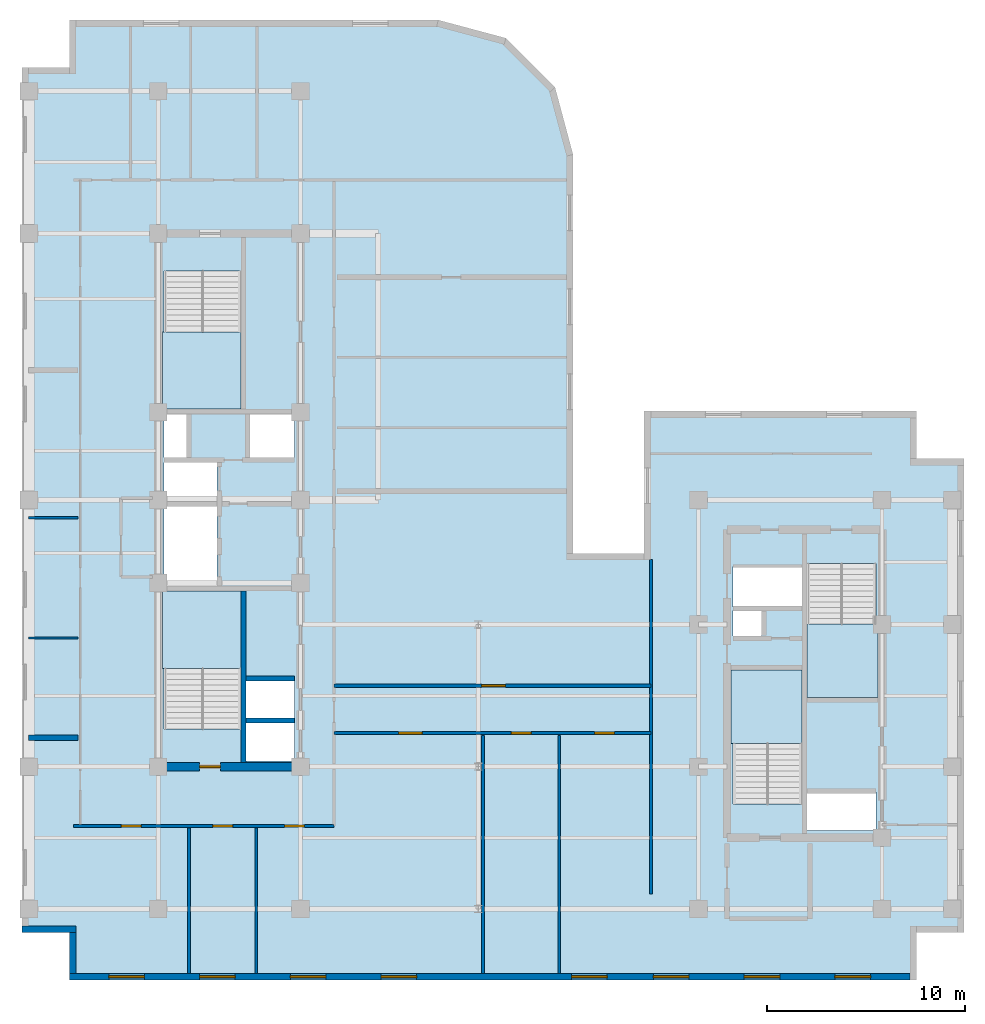
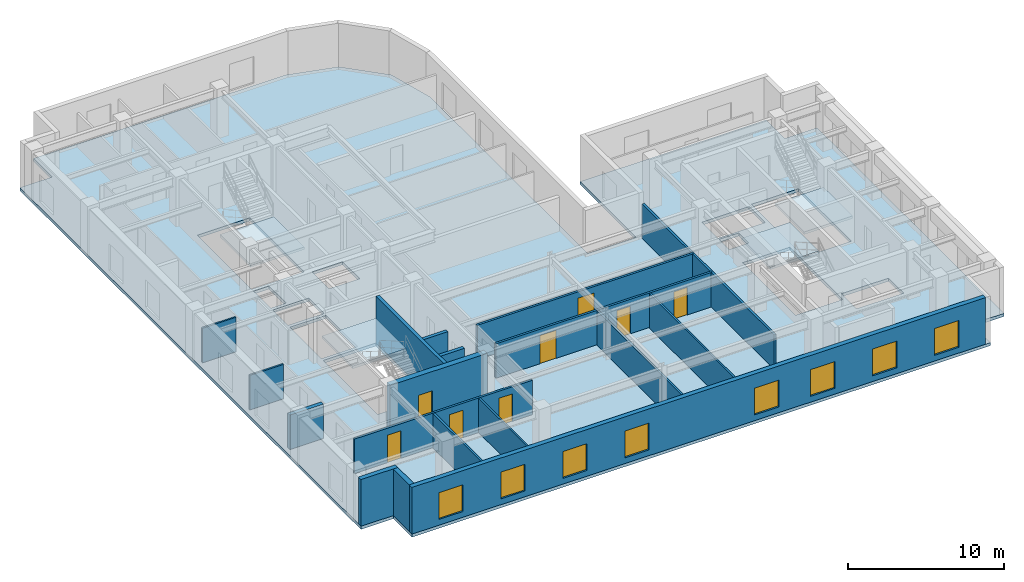
# One storey, part 3 of 10: 18 walls, 8 doors, 8 windows, 5 slabs, 16 openings, 4 elements without a shape of their own.
"""IFC4 building model written with IfcOpenShell, lengths in metres."""

from ifc_helpers import new_model, entity, si_unit, converted_unit, direction, frame, origin_with_axes, origin_2d_with_axis, place, context, subcontext, project, spatial, polyline, rectangle, outline, extrude, material, layer, layer_set, type_object, element, fill, aggregate, save


model = new_model("IFC4")

# Units and contexts
model_context = context("Model", 3, precision=1e-05, world=origin_with_axes(), true_north=direction((0.0, 1.0)))
body_context = subcontext(model_context, "Body", "Model", "MODEL_VIEW")
ifc_project = project(units=[si_unit("LENGTHUNIT", "METRE"), si_unit("AREAUNIT", "SQUARE_METRE"), si_unit("VOLUMEUNIT", "CUBIC_METRE"), converted_unit("PLANEANGLEUNIT", "DEGREE", entity("IfcPlaneAngleMeasure", 0.017453292519943295), si_unit("PLANEANGLEUNIT", "RADIAN"), dimensions=[0, 0, 0, 0, 0, 0, 0]), si_unit("MASSUNIT", "GRAM", prefix="KILO"), si_unit("THERMODYNAMICTEMPERATUREUNIT", "KELVIN")], contexts=[model_context])

# Site, building, storey
site_placement = place(None, origin_with_axes())
site = spatial("IfcSite", under=ifc_project, at=site_placement, CompositionType="ELEMENT")
building_placement = place(site_placement, origin_with_axes())
building = spatial("IfcBuilding", under=site, at=building_placement, Name="Varnlund Millrace Tower", CompositionType="ELEMENT")
storey_placement = place(building_placement, frame((0.0, 0.0, 228.6), z_axis=(0.0, 0.0, 1.0), x_axis=(1.0, 0.0, 0.0)))
storey = spatial("IfcBuildingStorey", under=building, at=storey_placement, Name="L56", CompositionType="ELEMENT", Elevation=228.6)

# Slab
ifc_material_1 = material(Name="Concrete C60/75", Category="concrete")
ifc_layer_1 = layer(ifc_material_1, 0.24, Name="Concrete C60/75")
ifc_layer_set_1 = layer_set([ifc_layer_1], Name="Concrete C60/75")
slab_type_1 = type_object("IfcSlabType", Name="Type-Deck-Plate-Typical-240", PredefinedType="FLOOR", material=ifc_layer_set_1)
slab_1_placement = place(storey_placement, frame((0.0, 0.0, -0.24), z_axis=(0.0, 0.0, 1.0), x_axis=(1.0, 0.0, 0.0)))
element("IfcSlab", 1, at=slab_1_placement, inside=storey, type_object=slab_type_1, Name="Type-Deck-Plate-Typical-240", PredefinedType="FLOOR", context=body_context, shape_type="SweptSolid", body=[
    extrude(outline(polyline([(32.4, 21.6), (32.4, 41.8), (31.489, 45.2), (29.0, 47.689), (25.6, 48.6), (6.9, 48.6), (6.9, 46.2), (4.5, 46.2), (4.5, 2.4), (6.9, 2.4), (6.9, 0.0), (49.8, 0.0), (49.8, 2.4), (52.2, 2.4), (52.2, 26.4), (49.8, 26.4), (49.8, 28.8), (36.0, 28.8), (36.0, 21.6), (32.4, 21.6)]), holes=[polyline([(18.3, 13.1), (18.3, 11.1), (15.84, 11.1), (15.84, 13.1), (18.3, 13.1)]), polyline([(15.6, 12.715), (11.7, 12.715), (11.7, 19.7), (15.6, 19.7), (15.6, 12.715)]), polyline([(11.7, 19.94), (11.7, 23.98), (14.38, 23.98), (14.38, 19.94), (11.7, 19.94)]), polyline([(14.38, 24.24), (11.7, 24.24), (11.7, 26.2), (14.38, 26.2), (14.38, 24.24)]), polyline([(12.84, 26.46), (11.7, 26.46), (11.7, 28.65), (12.84, 28.65), (12.84, 26.46)]), polyline([(15.6, 28.9), (11.7, 28.9), (11.7, 35.885), (15.6, 35.885), (15.6, 28.9)]), polyline([(47.75, 9.52), (47.75, 7.58), (44.25, 7.58), (44.25, 9.52), (47.75, 9.52)]), polyline([(44.0, 8.915), (40.5, 8.915), (40.5, 15.7), (44.0, 15.7), (44.0, 8.915)]), polyline([(18.3, 13.16), (15.84, 13.16), (15.84, 15.24), (18.3, 15.24), (18.3, 13.16)]), polyline([(47.75, 14.3), (44.25, 14.3), (44.25, 21.085), (47.75, 21.085), (47.75, 14.3)]), polyline([(41.95, 17.42), (40.5, 17.42), (40.5, 18.72), (41.95, 18.72), (41.95, 17.42)]), polyline([(44.0, 18.88), (40.5, 18.88), (40.5, 20.94), (44.0, 20.94), (44.0, 18.88)]), polyline([(18.3, 26.46), (16.04, 26.46), (16.04, 28.65), (18.3, 28.65), (18.3, 26.46)])]), origin_with_axes(), (0.0, 0.0, 1.0), 0.24),
])

# Stair, slab
ifc_material_2 = material(Name="Concrete C50/60", Category="concrete")
stair_type_1 = type_object("IfcStairType", Name="Type-Stair-Dogleg-185-390", PredefinedType="HALF_TURN_STAIR", material=ifc_material_2)
stair_1_placement = place(storey_placement, origin_with_axes())
stair_1 = element("IfcStair", 2, at=stair_1_placement, inside=storey, type_object=stair_type_1, Name="Type-Stair-Dogleg-185-390", PredefinedType="HALF_TURN_STAIR")
ifc_layer_2 = layer(ifc_material_2, 0.2, Name="Concrete C50/60")
ifc_layer_set_2 = layer_set([ifc_layer_2], Name="Concrete C50/60")
slab_type_2 = type_object("IfcSlabType", Name="Type-StairLanding-200", PredefinedType="LANDING", material=ifc_layer_set_2)
slab_2_placement = place(storey_placement, frame((0.0, 0.0, 1.75), z_axis=(0.0, 0.0, 1.0), x_axis=(1.0, 0.0, 0.0)))
slab_2 = element("IfcSlab", 3, at=slab_2_placement, type_object=slab_type_2, Name="ST-A1 landing 1", PredefinedType="LANDING", context=body_context, shape_type="SweptSolid", body=[
    extrude(outline(polyline([(15.6, 15.78), (15.6, 19.7), (11.61, 19.7), (11.61, 15.78), (15.6, 15.78)])), origin_with_axes(), (0.0, 0.0, 1.0), 0.2),
])
aggregate(stair_1, [slab_2])

stair_2_placement = place(storey_placement, origin_with_axes())
stair_2 = element("IfcStair", 4, at=stair_2_placement, inside=storey, type_object=stair_type_1, Name="Type-Stair-Dogleg-185-390", PredefinedType="HALF_TURN_STAIR")
slab_3_placement = place(storey_placement, frame((0.0, 0.0, 1.75), z_axis=(0.0, 0.0, 1.0), x_axis=(1.0, 0.0, 0.0)))
slab_3 = element("IfcSlab", 5, at=slab_3_placement, type_object=slab_type_2, Name="ST-A2 landing 1", PredefinedType="LANDING", context=body_context, shape_type="SweptSolid", body=[
    extrude(outline(polyline([(11.61, 32.82), (11.61, 28.9), (15.6, 28.9), (15.6, 32.82), (11.61, 32.82)])), origin_with_axes(), (0.0, 0.0, 1.0), 0.2),
])
aggregate(stair_2, [slab_3])

stair_type_2 = type_object("IfcStairType", Name="Type-Stair-Dogleg-165-390", PredefinedType="HALF_TURN_STAIR", material=ifc_material_2)
stair_3_placement = place(storey_placement, origin_with_axes())
stair_3 = element("IfcStair", 6, at=stair_3_placement, inside=storey, type_object=stair_type_2, Name="Type-Stair-Dogleg-165-390", PredefinedType="HALF_TURN_STAIR")
slab_4_placement = place(storey_placement, frame((0.0, 0.0, 1.75), z_axis=(0.0, 0.0, 1.0), x_axis=(1.0, 0.0, 0.0)))
slab_4 = element("IfcSlab", 7, at=slab_4_placement, type_object=slab_type_2, Name="ST-B1 landing 1", PredefinedType="LANDING", context=body_context, shape_type="SweptSolid", body=[
    extrude(outline(polyline([(44.0, 11.98), (44.0, 15.7), (40.41, 15.7), (40.41, 11.98), (44.0, 11.98)])), origin_with_axes(), (0.0, 0.0, 1.0), 0.2),
])
aggregate(stair_3, [slab_4])

stair_4_placement = place(storey_placement, origin_with_axes())
stair_4 = element("IfcStair", 8, at=stair_4_placement, inside=storey, type_object=stair_type_2, Name="Type-Stair-Dogleg-165-390", PredefinedType="HALF_TURN_STAIR")
slab_5_placement = place(storey_placement, frame((0.0, 0.0, 1.75), z_axis=(0.0, 0.0, 1.0), x_axis=(1.0, 0.0, 0.0)))
slab_5 = element("IfcSlab", 9, at=slab_5_placement, type_object=slab_type_2, Name="ST-B2 landing 1", PredefinedType="LANDING", context=body_context, shape_type="SweptSolid", body=[
    extrude(outline(polyline([(44.25, 18.02), (44.25, 14.3), (47.84, 14.3), (47.84, 18.02), (44.25, 18.02)])), origin_with_axes(), (0.0, 0.0, 1.0), 0.2),
])
aggregate(stair_4, [slab_5])

# Wall, opening, door
ifc_layer_3 = layer(ifc_material_1, 0.42, Name="Concrete C60/75")
ifc_layer_set_3 = layer_set([ifc_layer_3], Name="Concrete C60/75")
wall_type_1 = type_object("IfcWallType", Name="Type-CoreWall-Shear-420-C60", PredefinedType="SHEAR", material=ifc_layer_set_3)
wall_1_placement = place(storey_placement, frame((11.4, 10.8, 0.0), z_axis=(0.0, 0.0, 1.0), x_axis=(1.0, 0.0, 0.0)))
wall_1 = element("IfcWall", 10, at=wall_1_placement, inside=storey, type_object=wall_type_1, Name="Type-CoreWall-Shear-420-C60", PredefinedType="SHEAR", context=body_context, shape_type="SweptSolid", body=[
    extrude(outline(polyline([(0.0, -0.21), (7.2, -0.21), (7.2, 0.21), (0.0, 0.21), (0.0, -0.21)])), origin_with_axes(), (0.0, 0.0, 1.0), 3.66),
])
opening_1_placement = place(wall_1_placement, frame((2.625, 0.0, 0.0), z_axis=(0.0, 0.0, 1.0), x_axis=(1.0, 0.0, 0.0)))
opening_1 = element("IfcOpeningElement", 11, at=opening_1_placement, cuts=wall_1, Name="Opening L56:DR-STA1", PredefinedType="OPENING", context=body_context, shape_type="SweptSolid", body=[
    extrude(rectangle(XDim=1.05, YDim=0.44, at=origin_2d_with_axis()), origin_with_axes(), (0.0, 0.0, 1.0), 2.15),
])
ifc_material_3 = material(Name="Fire-rated hollow steel door", Category="steel")
door_type_1 = type_object("IfcDoorType", Name="Type-FireDoor-Stair-1050X2150", OperationType="NOTDEFINED", PredefinedType="DOOR", material=ifc_material_3)
door_1_placement = place(wall_1_placement, frame((2.625, 0.0, 0.0), z_axis=(0.0, 0.0, 1.0), x_axis=(1.0, 0.0, 0.0)))
door_1 = element("IfcDoor", 12, at=door_1_placement, inside=storey, type_object=door_type_1, Name="Type-FireDoor-Stair-1050X2150", OperationType="SINGLE_SWING_LEFT", OverallHeight=2.15, OverallWidth=1.05, PredefinedType="DOOR", context=body_context, shape_type="SweptSolid", body=[
    extrude(rectangle(XDim=1.05, YDim=0.09, at=origin_2d_with_axis()), origin_with_axes(), (0.0, 0.0, 1.0), 2.15),
])
fill(opening_1, door_1)

# Wall, openings, windows
ifc_material_4 = material(Name="Precast concrete C50/60", Category="concrete")
ifc_layer_4 = layer(ifc_material_4, 0.34, Name="Precast concrete C50/60")
ifc_layer_set_4 = layer_set([ifc_layer_4], Name="Precast concrete C50/60")
wall_type_2 = type_object("IfcWallType", Name="Type-ExtWall-Precast-Upper-340", PredefinedType="SOLIDWALL", material=ifc_layer_set_4)
wall_2_placement = place(storey_placement, frame((49.46, 0.17, 0.0), z_axis=(0.0, 0.0, 1.0), x_axis=(-1.0, 0.0, 0.0)))
wall_2 = element("IfcWall", 13, at=wall_2_placement, inside=storey, type_object=wall_type_2, Name="Type-ExtWall-Precast-Upper-340", PredefinedType="SOLIDWALL", context=body_context, shape_type="SweptSolid", body=[
    extrude(outline(polyline([(0.0, -0.17), (42.56, -0.17), (42.56, 0.17), (0.0, 0.17), (0.0, -0.17)])), origin_with_axes(), (0.0, 0.0, 1.0), 3.66),
])
opening_2_placement = place(wall_2_placement, frame((2.898, 0.0, 0.45), z_axis=(0.0, 0.0, 1.0), x_axis=(1.0, 0.0, 0.0)))
opening_2 = element("IfcOpeningElement", 14, at=opening_2_placement, cuts=wall_2, Name="Opening L56:WN-07", PredefinedType="OPENING", context=body_context, shape_type="SweptSolid", body=[
    extrude(rectangle(XDim=1.8, YDim=0.36, at=origin_2d_with_axis()), origin_with_axes(), (0.0, 0.0, 1.0), 2.1),
])
opening_3_placement = place(wall_2_placement, frame((7.493, 0.0, 0.45), z_axis=(0.0, 0.0, 1.0), x_axis=(1.0, 0.0, 0.0)))
opening_3 = element("IfcOpeningElement", 15, at=opening_3_placement, cuts=wall_2, Name="Opening L56:WN-08", PredefinedType="OPENING", context=body_context, shape_type="SweptSolid", body=[
    extrude(rectangle(XDim=1.8, YDim=0.36, at=origin_2d_with_axis()), origin_with_axes(), (0.0, 0.0, 1.0), 2.1),
])
opening_4_placement = place(wall_2_placement, frame((12.089, 0.0, 0.45), z_axis=(0.0, 0.0, 1.0), x_axis=(1.0, 0.0, 0.0)))
opening_4 = element("IfcOpeningElement", 16, at=opening_4_placement, cuts=wall_2, Name="Opening L56:WN-09", PredefinedType="OPENING", context=body_context, shape_type="SweptSolid", body=[
    extrude(rectangle(XDim=1.8, YDim=0.36, at=origin_2d_with_axis()), origin_with_axes(), (0.0, 0.0, 1.0), 2.1),
])
opening_5_placement = place(wall_2_placement, frame((16.234, 0.0, 0.45), z_axis=(0.0, 0.0, 1.0), x_axis=(1.0, 0.0, 0.0)))
opening_5 = element("IfcOpeningElement", 17, at=opening_5_placement, cuts=wall_2, Name="Opening L56:WN-10", PredefinedType="OPENING", context=body_context, shape_type="SweptSolid", body=[
    extrude(rectangle(XDim=1.8, YDim=0.36, at=origin_2d_with_axis()), origin_with_axes(), (0.0, 0.0, 1.0), 2.1),
])
opening_6_placement = place(wall_2_placement, frame((25.876, 0.0, 0.45), z_axis=(0.0, 0.0, 1.0), x_axis=(1.0, 0.0, 0.0)))
opening_6 = element("IfcOpeningElement", 18, at=opening_6_placement, cuts=wall_2, Name="Opening L56:WN-11", PredefinedType="OPENING", context=body_context, shape_type="SweptSolid", body=[
    extrude(rectangle(XDim=1.8, YDim=0.36, at=origin_2d_with_axis()), origin_with_axes(), (0.0, 0.0, 1.0), 2.1),
])
opening_7_placement = place(wall_2_placement, frame((30.471, 0.0, 0.45), z_axis=(0.0, 0.0, 1.0), x_axis=(1.0, 0.0, 0.0)))
opening_7 = element("IfcOpeningElement", 19, at=opening_7_placement, cuts=wall_2, Name="Opening L56:WN-12", PredefinedType="OPENING", context=body_context, shape_type="SweptSolid", body=[
    extrude(rectangle(XDim=1.8, YDim=0.36, at=origin_2d_with_axis()), origin_with_axes(), (0.0, 0.0, 1.0), 2.1),
])
opening_8_placement = place(wall_2_placement, frame((35.067, 0.0, 0.45), z_axis=(0.0, 0.0, 1.0), x_axis=(1.0, 0.0, 0.0)))
opening_8 = element("IfcOpeningElement", 20, at=opening_8_placement, cuts=wall_2, Name="Opening L56:WN-13", PredefinedType="OPENING", context=body_context, shape_type="SweptSolid", body=[
    extrude(rectangle(XDim=1.8, YDim=0.36, at=origin_2d_with_axis()), origin_with_axes(), (0.0, 0.0, 1.0), 2.1),
])
opening_9_placement = place(wall_2_placement, frame((39.662, 0.0, 0.45), z_axis=(0.0, 0.0, 1.0), x_axis=(1.0, 0.0, 0.0)))
opening_9 = element("IfcOpeningElement", 21, at=opening_9_placement, cuts=wall_2, Name="Opening L56:WN-14", PredefinedType="OPENING", context=body_context, shape_type="SweptSolid", body=[
    extrude(rectangle(XDim=1.8, YDim=0.36, at=origin_2d_with_axis()), origin_with_axes(), (0.0, 0.0, 1.0), 2.1),
])
ifc_material_5 = material(Name="Argon low-e triple glazing in thermally broken bronze frame", Category="glass")
window_type = type_object("IfcWindowType", Name="Type-Window-Punched-1800X2100", PartitioningType="SINGLE_PANEL", PredefinedType="WINDOW", material=ifc_material_5)
window_1_placement = place(wall_2_placement, frame((2.898, 0.0, 0.45), z_axis=(0.0, 0.0, 1.0), x_axis=(1.0, 0.0, 0.0)))
window_1 = element("IfcWindow", 22, at=window_1_placement, inside=storey, type_object=window_type, Name="Type-Window-Punched-1800X2100", OverallHeight=2.1, OverallWidth=1.8, PredefinedType="WINDOW", context=body_context, shape_type="SweptSolid", body=[
    extrude(rectangle(XDim=1.8, YDim=0.09, at=origin_2d_with_axis()), origin_with_axes(), (0.0, 0.0, 1.0), 2.1),
])
fill(opening_2, window_1)
window_2_placement = place(wall_2_placement, frame((7.493, 0.0, 0.45), z_axis=(0.0, 0.0, 1.0), x_axis=(1.0, 0.0, 0.0)))
window_2 = element("IfcWindow", 23, at=window_2_placement, inside=storey, type_object=window_type, Name="Type-Window-Punched-1800X2100", OverallHeight=2.1, OverallWidth=1.8, PredefinedType="WINDOW", context=body_context, shape_type="SweptSolid", body=[
    extrude(rectangle(XDim=1.8, YDim=0.09, at=origin_2d_with_axis()), origin_with_axes(), (0.0, 0.0, 1.0), 2.1),
])
fill(opening_3, window_2)
window_3_placement = place(wall_2_placement, frame((12.089, 0.0, 0.45), z_axis=(0.0, 0.0, 1.0), x_axis=(1.0, 0.0, 0.0)))
window_3 = element("IfcWindow", 24, at=window_3_placement, inside=storey, type_object=window_type, Name="Type-Window-Punched-1800X2100", OverallHeight=2.1, OverallWidth=1.8, PredefinedType="WINDOW", context=body_context, shape_type="SweptSolid", body=[
    extrude(rectangle(XDim=1.8, YDim=0.09, at=origin_2d_with_axis()), origin_with_axes(), (0.0, 0.0, 1.0), 2.1),
])
fill(opening_4, window_3)
window_4_placement = place(wall_2_placement, frame((16.234, 0.0, 0.45), z_axis=(0.0, 0.0, 1.0), x_axis=(1.0, 0.0, 0.0)))
window_4 = element("IfcWindow", 25, at=window_4_placement, inside=storey, type_object=window_type, Name="Type-Window-Punched-1800X2100", OverallHeight=2.1, OverallWidth=1.8, PredefinedType="WINDOW", context=body_context, shape_type="SweptSolid", body=[
    extrude(rectangle(XDim=1.8, YDim=0.09, at=origin_2d_with_axis()), origin_with_axes(), (0.0, 0.0, 1.0), 2.1),
])
fill(opening_5, window_4)
window_5_placement = place(wall_2_placement, frame((25.876, 0.0, 0.45), z_axis=(0.0, 0.0, 1.0), x_axis=(1.0, 0.0, 0.0)))
window_5 = element("IfcWindow", 26, at=window_5_placement, inside=storey, type_object=window_type, Name="Type-Window-Punched-1800X2100", OverallHeight=2.1, OverallWidth=1.8, PredefinedType="WINDOW", context=body_context, shape_type="SweptSolid", body=[
    extrude(rectangle(XDim=1.8, YDim=0.09, at=origin_2d_with_axis()), origin_with_axes(), (0.0, 0.0, 1.0), 2.1),
])
fill(opening_6, window_5)
window_6_placement = place(wall_2_placement, frame((30.471, 0.0, 0.45), z_axis=(0.0, 0.0, 1.0), x_axis=(1.0, 0.0, 0.0)))
window_6 = element("IfcWindow", 27, at=window_6_placement, inside=storey, type_object=window_type, Name="Type-Window-Punched-1800X2100", OverallHeight=2.1, OverallWidth=1.8, PredefinedType="WINDOW", context=body_context, shape_type="SweptSolid", body=[
    extrude(rectangle(XDim=1.8, YDim=0.09, at=origin_2d_with_axis()), origin_with_axes(), (0.0, 0.0, 1.0), 2.1),
])
fill(opening_7, window_6)
window_7_placement = place(wall_2_placement, frame((35.067, 0.0, 0.45), z_axis=(0.0, 0.0, 1.0), x_axis=(1.0, 0.0, 0.0)))
window_7 = element("IfcWindow", 28, at=window_7_placement, inside=storey, type_object=window_type, Name="Type-Window-Punched-1800X2100", OverallHeight=2.1, OverallWidth=1.8, PredefinedType="WINDOW", context=body_context, shape_type="SweptSolid", body=[
    extrude(rectangle(XDim=1.8, YDim=0.09, at=origin_2d_with_axis()), origin_with_axes(), (0.0, 0.0, 1.0), 2.1),
])
fill(opening_8, window_7)
window_8_placement = place(wall_2_placement, frame((39.662, 0.0, 0.45), z_axis=(0.0, 0.0, 1.0), x_axis=(1.0, 0.0, 0.0)))
window_8 = element("IfcWindow", 29, at=window_8_placement, inside=storey, type_object=window_type, Name="Type-Window-Punched-1800X2100", OverallHeight=2.1, OverallWidth=1.8, PredefinedType="WINDOW", context=body_context, shape_type="SweptSolid", body=[
    extrude(rectangle(XDim=1.8, YDim=0.09, at=origin_2d_with_axis()), origin_with_axes(), (0.0, 0.0, 1.0), 2.1),
])
fill(opening_9, window_8)

# Walls
wall_3_placement = place(storey_placement, frame((7.07, 0.34, 0.0), z_axis=(0.0, 0.0, 1.0), x_axis=(0.0, 1.0, 0.0)))
element("IfcWall", 30, at=wall_3_placement, inside=storey, type_object=wall_type_2, Name="Type-ExtWall-Precast-Upper-340", PredefinedType="SOLIDWALL", context=body_context, shape_type="SweptSolid", body=[
    extrude(outline(polyline([(0.0, -0.17), (2.06, -0.17), (2.06, 0.17), (0.0, 0.17), (0.0, -0.17)])), origin_with_axes(), (0.0, 0.0, 1.0), 3.66),
])
wall_4_placement = place(storey_placement, frame((7.24, 2.57, 0.0), z_axis=(0.0, 0.0, 1.0), x_axis=(-1.0, 0.0, 0.0)))
element("IfcWall", 31, at=wall_4_placement, inside=storey, type_object=wall_type_2, Name="Type-ExtWall-Precast-Upper-340", PredefinedType="SOLIDWALL", context=body_context, shape_type="SweptSolid", body=[
    extrude(outline(polyline([(0.0, -0.17), (2.74, -0.17), (2.74, 0.17), (0.0, 0.17), (0.0, -0.17)])), origin_with_axes(), (0.0, 0.0, 1.0), 3.66),
])
ifc_material_6 = material(Name="Double-stud STC-60 conference acoustic partition", Category="gypsum")
ifc_layer_5 = layer(ifc_material_6, 0.28, Name="Double-stud STC-60 conference acoustic partition")
ifc_layer_set_5 = layer_set([ifc_layer_5], Name="Double-stud STC-60 conference acoustic partition")
wall_type_3 = type_object("IfcWallType", Name="Type-Partition-Acoustic-280", PredefinedType="PARTITIONING", material=ifc_layer_set_5)
wall_5_placement = place(storey_placement, frame((4.835, 12.262, 0.0), z_axis=(0.0, 0.0, 1.0), x_axis=(1.0, 0.0, 0.0)))
element("IfcWall", 32, at=wall_5_placement, inside=storey, type_object=wall_type_3, Name="Type-Partition-Acoustic-280", PredefinedType="PARTITIONING", context=body_context, shape_type="SweptSolid", body=[
    extrude(outline(polyline([(0.0, -0.14), (2.495, -0.14), (2.495, 0.14), (0.0, 0.14), (0.0, -0.14)])), origin_with_axes(), (0.0, 0.0, 1.0), 2.7),
])

# Wall, openings, doors
ifc_material_7 = material(Name="Fire-rated gypsum board on cold-formed steel framing", Category="steel")
ifc_layer_6 = layer(ifc_material_7, 0.16, Name="Fire-rated gypsum board on cold-formed steel framing")
ifc_layer_set_6 = layer_set([ifc_layer_6], Name="Fire-rated gypsum board on cold-formed steel framing")
wall_type_4 = type_object("IfcWallType", Name="Type-Partition-Corridor-160", PredefinedType="PARTITIONING", material=ifc_layer_set_6)
wall_6_placement = place(storey_placement, frame((7.1, 7.8, 0.0), z_axis=(0.0, 0.0, 1.0), x_axis=(1.0, 0.0, 0.0)))
wall_6 = element("IfcWall", 33, at=wall_6_placement, inside=storey, type_object=wall_type_4, Name="Type-Partition-Corridor-160", PredefinedType="PARTITIONING", context=body_context, shape_type="SweptSolid", body=[
    extrude(outline(polyline([(0.0, -0.08), (13.2, -0.08), (13.2, 0.08), (0.0, 0.08), (0.0, -0.08)])), origin_with_axes(), (0.0, 0.0, 1.0), 2.7),
])
opening_10_placement = place(wall_6_placement, frame((2.9285, 0.0, 0.0), z_axis=(0.0, 0.0, 1.0), x_axis=(1.0, 0.0, 0.0)))
opening_10 = element("IfcOpeningElement", 34, at=opening_10_placement, cuts=wall_6, Name="Opening L56:DR-WAS-01", PredefinedType="OPENING", context=body_context, shape_type="SweptSolid", body=[
    extrude(rectangle(XDim=1.0, YDim=0.18, at=origin_2d_with_axis()), origin_with_axes(), (0.0, 0.0, 1.0), 2.15),
])
opening_11_placement = place(wall_6_placement, frame((7.56, 0.0, 0.0), z_axis=(0.0, 0.0, 1.0), x_axis=(1.0, 0.0, 0.0)))
opening_11 = element("IfcOpeningElement", 35, at=opening_11_placement, cuts=wall_6, Name="Opening L56:DR-WAS-02", PredefinedType="OPENING", context=body_context, shape_type="SweptSolid", body=[
    extrude(rectangle(XDim=1.0, YDim=0.18, at=origin_2d_with_axis()), origin_with_axes(), (0.0, 0.0, 1.0), 2.15),
])
opening_12_placement = place(wall_6_placement, frame((11.2015, 0.0, 0.0), z_axis=(0.0, 0.0, 1.0), x_axis=(1.0, 0.0, 0.0)))
opening_12 = element("IfcOpeningElement", 36, at=opening_12_placement, cuts=wall_6, Name="Opening L56:DR-WAS-03", PredefinedType="OPENING", context=body_context, shape_type="SweptSolid", body=[
    extrude(rectangle(XDim=1.0, YDim=0.18, at=origin_2d_with_axis()), origin_with_axes(), (0.0, 0.0, 1.0), 2.15),
])
ifc_material_8 = material(Name="Solid-core white oak and bronze frame door")
door_type_2 = type_object("IfcDoorType", Name="Type-IntDoor-Office-1000X2150", OperationType="NOTDEFINED", PredefinedType="DOOR", material=ifc_material_8)
door_2_placement = place(wall_6_placement, frame((2.9285, 0.0, 0.0), z_axis=(0.0, 0.0, 1.0), x_axis=(1.0, 0.0, 0.0)))
door_2 = element("IfcDoor", 37, at=door_2_placement, inside=storey, type_object=door_type_2, Name="Type-IntDoor-Office-1000X2150", OperationType="SINGLE_SWING_LEFT", OverallHeight=2.15, OverallWidth=1.0, PredefinedType="DOOR", context=body_context, shape_type="SweptSolid", body=[
    extrude(rectangle(XDim=1.0, YDim=0.09, at=origin_2d_with_axis()), origin_with_axes(), (0.0, 0.0, 1.0), 2.15),
])
fill(opening_10, door_2)
door_3_placement = place(wall_6_placement, frame((7.56, 0.0, 0.0), z_axis=(0.0, 0.0, 1.0), x_axis=(1.0, 0.0, 0.0)))
door_3 = element("IfcDoor", 38, at=door_3_placement, inside=storey, type_object=door_type_2, Name="Type-IntDoor-Office-1000X2150", OperationType="SINGLE_SWING_RIGHT", OverallHeight=2.15, OverallWidth=1.0, PredefinedType="DOOR", context=body_context, shape_type="SweptSolid", body=[
    extrude(rectangle(XDim=1.0, YDim=0.09, at=origin_2d_with_axis()), origin_with_axes(), (0.0, 0.0, 1.0), 2.15),
])
fill(opening_11, door_3)
door_4_placement = place(wall_6_placement, frame((11.2015, 0.0, 0.0), z_axis=(0.0, 0.0, 1.0), x_axis=(1.0, 0.0, 0.0)))
door_4 = element("IfcDoor", 39, at=door_4_placement, inside=storey, type_object=door_type_2, Name="Type-IntDoor-Office-1000X2150", OperationType="SINGLE_SWING_LEFT", OverallHeight=2.15, OverallWidth=1.0, PredefinedType="DOOR", context=body_context, shape_type="SweptSolid", body=[
    extrude(rectangle(XDim=1.0, YDim=0.09, at=origin_2d_with_axis()), origin_with_axes(), (0.0, 0.0, 1.0), 2.15),
])
fill(opening_12, door_4)

wall_7_placement = place(storey_placement, frame((20.3, 12.5, 0.0), z_axis=(0.0, 0.0, 1.0), x_axis=(1.0, 0.0, 0.0)))
wall_7 = element("IfcWall", 40, at=wall_7_placement, inside=storey, type_object=wall_type_4, Name="Type-Partition-Corridor-160", PredefinedType="PARTITIONING", context=body_context, shape_type="SweptSolid", body=[
    extrude(outline(polyline([(0.0, -0.08), (16.05, -0.08), (16.05, 0.08), (0.0, 0.08), (0.0, -0.08)])), origin_with_axes(), (0.0, 0.0, 1.0), 2.7),
])
opening_13_placement = place(wall_7_placement, frame((3.8645, 0.0, 0.0), z_axis=(0.0, 0.0, 1.0), x_axis=(1.0, 0.0, 0.0)))
opening_13 = element("IfcOpeningElement", 41, at=opening_13_placement, cuts=wall_7, Name="Opening L56:DR-KNS-01", PredefinedType="OPENING", context=body_context, shape_type="SweptSolid", body=[
    extrude(rectangle(XDim=1.2, YDim=0.18, at=origin_2d_with_axis()), origin_with_axes(), (0.0, 0.0, 1.0), 2.2),
])
opening_14_placement = place(wall_7_placement, frame((9.4805, 0.0, 0.0), z_axis=(0.0, 0.0, 1.0), x_axis=(1.0, 0.0, 0.0)))
opening_14 = element("IfcOpeningElement", 42, at=opening_14_placement, cuts=wall_7, Name="Opening L56:DR-KNS-02", PredefinedType="OPENING", context=body_context, shape_type="SweptSolid", body=[
    extrude(rectangle(XDim=1.0, YDim=0.18, at=origin_2d_with_axis()), origin_with_axes(), (0.0, 0.0, 1.0), 2.15),
])
opening_15_placement = place(wall_7_placement, frame((13.691, 0.0, 0.0), z_axis=(0.0, 0.0, 1.0), x_axis=(1.0, 0.0, 0.0)))
opening_15 = element("IfcOpeningElement", 43, at=opening_15_placement, cuts=wall_7, Name="Opening L56:DR-KNS-03", PredefinedType="OPENING", context=body_context, shape_type="SweptSolid", body=[
    extrude(rectangle(XDim=1.0, YDim=0.18, at=origin_2d_with_axis()), origin_with_axes(), (0.0, 0.0, 1.0), 2.15),
])
ifc_material_9 = material(Name="Wide executive white oak acoustic door")
door_type_3 = type_object("IfcDoorType", Name="Type-IntDoor-Exec-1200X2200", OperationType="NOTDEFINED", PredefinedType="DOOR", material=ifc_material_9)
door_5_placement = place(wall_7_placement, frame((3.8645, 0.0, 0.0), z_axis=(0.0, 0.0, 1.0), x_axis=(1.0, 0.0, 0.0)))
door_5 = element("IfcDoor", 44, at=door_5_placement, inside=storey, type_object=door_type_3, Name="Type-IntDoor-Exec-1200X2200", OperationType="SINGLE_SWING_LEFT", OverallHeight=2.2, OverallWidth=1.2, PredefinedType="DOOR", context=body_context, shape_type="SweptSolid", body=[
    extrude(rectangle(XDim=1.2, YDim=0.09, at=origin_2d_with_axis()), origin_with_axes(), (0.0, 0.0, 1.0), 2.2),
])
fill(opening_13, door_5)
door_6_placement = place(wall_7_placement, frame((9.4805, 0.0, 0.0), z_axis=(0.0, 0.0, 1.0), x_axis=(1.0, 0.0, 0.0)))
door_6 = element("IfcDoor", 45, at=door_6_placement, inside=storey, type_object=door_type_2, Name="Type-IntDoor-Office-1000X2150", OperationType="SINGLE_SWING_RIGHT", OverallHeight=2.15, OverallWidth=1.0, PredefinedType="DOOR", context=body_context, shape_type="SweptSolid", body=[
    extrude(rectangle(XDim=1.0, YDim=0.09, at=origin_2d_with_axis()), origin_with_axes(), (0.0, 0.0, 1.0), 2.15),
])
fill(opening_14, door_6)
door_7_placement = place(wall_7_placement, frame((13.691, 0.0, 0.0), z_axis=(0.0, 0.0, 1.0), x_axis=(1.0, 0.0, 0.0)))
door_7 = element("IfcDoor", 46, at=door_7_placement, inside=storey, type_object=door_type_2, Name="Type-IntDoor-Office-1000X2150", OperationType="SINGLE_SWING_LEFT", OverallHeight=2.15, OverallWidth=1.0, PredefinedType="DOOR", context=body_context, shape_type="SweptSolid", body=[
    extrude(rectangle(XDim=1.0, YDim=0.09, at=origin_2d_with_axis()), origin_with_axes(), (0.0, 0.0, 1.0), 2.15),
])
fill(opening_15, door_7)

# Wall, opening, door
wall_8_placement = place(storey_placement, frame((20.3, 14.9, 0.0), z_axis=(0.0, 0.0, 1.0), x_axis=(1.0, 0.0, 0.0)))
wall_8 = element("IfcWall", 47, at=wall_8_placement, inside=storey, type_object=wall_type_4, Name="Type-Partition-Corridor-160", PredefinedType="PARTITIONING", context=body_context, shape_type="SweptSolid", body=[
    extrude(outline(polyline([(0.0, -0.08), (16.05, -0.08), (16.05, 0.08), (0.0, 0.08), (0.0, -0.08)])), origin_with_axes(), (0.0, 0.0, 1.0), 2.7),
])
opening_16_placement = place(wall_8_placement, frame((8.075, 0.0, 0.0), z_axis=(0.0, 0.0, 1.0), x_axis=(1.0, 0.0, 0.0)))
opening_16 = element("IfcOpeningElement", 48, at=opening_16_placement, cuts=wall_8, Name="Opening L56:DR-KN-01", PredefinedType="OPENING", context=body_context, shape_type="SweptSolid", body=[
    extrude(rectangle(XDim=1.2, YDim=0.18, at=origin_2d_with_axis()), origin_with_axes(), (0.0, 0.0, 1.0), 2.2),
])
door_8_placement = place(wall_8_placement, frame((8.075, 0.0, 0.0), z_axis=(0.0, 0.0, 1.0), x_axis=(1.0, 0.0, 0.0)))
door_8 = element("IfcDoor", 49, at=door_8_placement, inside=storey, type_object=door_type_3, Name="Type-IntDoor-Exec-1200X2200", OperationType="SINGLE_SWING_LEFT", OverallHeight=2.2, OverallWidth=1.2, PredefinedType="DOOR", context=body_context, shape_type="SweptSolid", body=[
    extrude(rectangle(XDim=1.2, YDim=0.09, at=origin_2d_with_axis()), origin_with_axes(), (0.0, 0.0, 1.0), 2.2),
])
fill(opening_16, door_8)

# Walls
wall_9_placement = place(storey_placement, frame((36.35, 4.35, 0.0), z_axis=(0.0, 0.0, 1.0), x_axis=(0.0, 1.0, 0.0)))
element("IfcWall", 50, at=wall_9_placement, inside=storey, type_object=wall_type_4, Name="Type-Partition-Corridor-160", PredefinedType="PARTITIONING", context=body_context, shape_type="SweptSolid", body=[
    extrude(outline(polyline([(0.0, -0.08), (16.95, -0.08), (16.95, 0.08), (0.0, 0.08), (0.0, -0.08)])), origin_with_axes(), (0.0, 0.0, 1.0), 2.7),
])
ifc_material_10 = material(Name="Acoustic STC-50 gypsum board partition", Category="gypsum")
ifc_layer_7 = layer(ifc_material_10, 0.15, Name="Acoustic STC-50 gypsum board partition")
ifc_layer_set_7 = layer_set([ifc_layer_7], Name="Acoustic STC-50 gypsum board partition")
wall_type_5 = type_object("IfcWallType", Name="Type-Partition-Demising-150", PredefinedType="PARTITIONING", material=ifc_layer_set_7)
wall_10_placement = place(storey_placement, frame((12.967, 0.335, 0.0), z_axis=(0.0, 0.0, 1.0), x_axis=(0.0, 1.0, 0.0)))
element("IfcWall", 51, at=wall_10_placement, inside=storey, type_object=wall_type_5, Name="Type-Partition-Demising-150", PredefinedType="PARTITIONING", context=body_context, shape_type="SweptSolid", body=[
    extrude(outline(polyline([(0.0, -0.075), (7.365, -0.075), (7.365, 0.075), (0.0, 0.075), (0.0, -0.075)])), origin_with_axes(), (0.0, 0.0, 1.0), 2.7),
])
wall_11_placement = place(storey_placement, frame((27.849, 0.335, 0.0), z_axis=(0.0, 0.0, 1.0), x_axis=(0.0, 1.0, 0.0)))
element("IfcWall", 52, at=wall_11_placement, inside=storey, type_object=wall_type_5, Name="Type-Partition-Demising-150", PredefinedType="PARTITIONING", context=body_context, shape_type="SweptSolid", body=[
    extrude(outline(polyline([(0.0, -0.075), (12.045, -0.075), (12.045, 0.075), (0.0, 0.075), (0.0, -0.075)])), origin_with_axes(), (0.0, 0.0, 1.0), 2.7),
])
ifc_material_11 = material(Name="Gypsum board tenant partition", Category="gypsum")
ifc_layer_8 = layer(ifc_material_11, 0.125, Name="Gypsum board tenant partition")
ifc_layer_set_8 = layer_set([ifc_layer_8], Name="Gypsum board tenant partition")
wall_type_6 = type_object("IfcWallType", Name="Type-Partition-Tenant-125", PredefinedType="PARTITIONING", material=ifc_layer_set_8)
for number, where, z_axis, x_axis, name in (
    (53, (4.835, 17.315, 0.0), (0.0, 0.0, 1.0), (1.0, 0.0, 0.0), "Type-Partition-Tenant-125"),
    (54, (4.835, 23.405, 0.0), (0.0, 0.0, 1.0), (1.0, 0.0, 0.0), "Type-Partition-Tenant-125"),
):
    element("IfcWall", number, at=place(storey_placement, frame(where, z_axis=z_axis, x_axis=x_axis)), inside=storey, type_object=wall_type_6, Name=name, PredefinedType="PARTITIONING", context=body_context, shape_type="SweptSolid", body=[
        extrude(outline(polyline([(0.0, -0.0625), (2.495, -0.0625), (2.495, 0.0625), (0.0, 0.0625), (0.0, -0.0625)])), origin_with_axes(), (0.0, 0.0, 1.0), 2.7),
    ])
wall_12_placement = place(storey_placement, frame((16.353, 0.335, 0.0), z_axis=(0.0, 0.0, 1.0), x_axis=(0.0, 1.0, 0.0)))
element("IfcWall", 55, at=wall_12_placement, inside=storey, type_object=wall_type_6, Name="Type-Partition-Tenant-125", PredefinedType="PARTITIONING", context=body_context, shape_type="SweptSolid", body=[
    extrude(outline(polyline([(0.0, -0.0625), (7.365, -0.0625), (7.365, 0.0625), (0.0, 0.0625), (0.0, -0.0625)])), origin_with_axes(), (0.0, 0.0, 1.0), 2.7),
])
wall_13_placement = place(storey_placement, frame((31.712, 0.335, 0.0), z_axis=(0.0, 0.0, 1.0), x_axis=(0.0, 1.0, 0.0)))
element("IfcWall", 56, at=wall_13_placement, inside=storey, type_object=wall_type_6, Name="Type-Partition-Tenant-125", PredefinedType="PARTITIONING", context=body_context, shape_type="SweptSolid", body=[
    extrude(outline(polyline([(0.0, -0.0625), (12.045, -0.0625), (12.045, 0.0625), (0.0, 0.0625), (0.0, -0.0625)])), origin_with_axes(), (0.0, 0.0, 1.0), 2.7),
])
ifc_layer_9 = layer(ifc_material_1, 0.25, Name="Concrete C60/75")
ifc_layer_set_9 = layer_set([ifc_layer_9], Name="Concrete C60/75")
wall_type_7 = type_object("IfcWallType", Name="Type-ShaftWall-Fire-250", PredefinedType="SOLIDWALL", material=ifc_layer_set_9)
for number, where, z_axis, x_axis, name in (
    (57, (15.84, 13.13, 0.0), (0.0, 0.0, 1.0), (1.0, 0.0, 0.0), "Type-ShaftWall-Fire-250"),
    (58, (15.84, 15.27, 0.0), (0.0, 0.0, 1.0), (1.0, 0.0, 0.0), "Type-ShaftWall-Fire-250"),
):
    element("IfcWall", number, at=place(storey_placement, frame(where, z_axis=z_axis, x_axis=x_axis)), inside=storey, type_object=wall_type_7, Name=name, PredefinedType="SOLIDWALL", context=body_context, shape_type="SweptSolid", body=[
        extrude(outline(polyline([(0.0, -0.125), (2.46, -0.125), (2.46, 0.125), (0.0, 0.125), (0.0, -0.125)])), origin_with_axes(), (0.0, 0.0, 1.0), 2.7),
    ])
wall_type_8 = type_object("IfcWallType", Name="Type-StairWall-Shear-250", PredefinedType="SHEAR", material=ifc_layer_set_9)
wall_14_placement = place(storey_placement, frame((15.725, 11.01, 0.0), z_axis=(0.0, 0.0, 1.0), x_axis=(0.0, 1.0, 0.0)))
element("IfcWall", 59, at=wall_14_placement, inside=storey, type_object=wall_type_8, Name="Type-StairWall-Shear-250", PredefinedType="SHEAR", context=body_context, shape_type="SweptSolid", body=[
    extrude(outline(polyline([(0.0, -0.125), (8.69, -0.125), (8.69, 0.125), (0.0, 0.125), (0.0, -0.125)])), origin_with_axes(), (0.0, 0.0, 1.0), 3.66),
])

save(model, "model.ifc")
